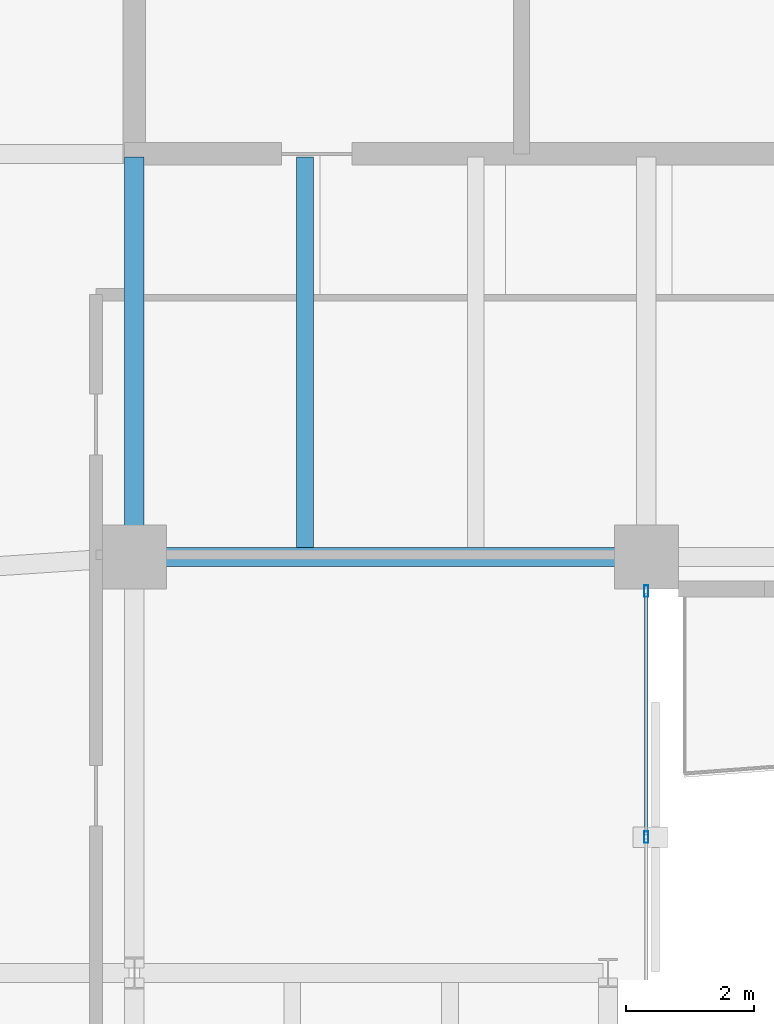
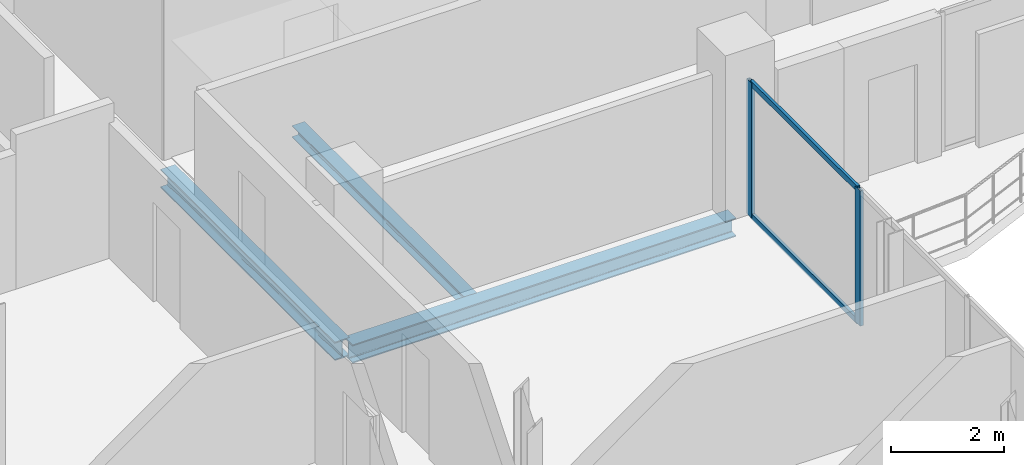
# One storey, part 10 of 23: 4 members, 3 beams, 1 element without a shape of its own.
"""IFC4 building model written with IfcOpenShell, lengths in metres."""

from ifc_helpers import new_model, si_unit, direction, frame, origin, origin_2d, place, context, subcontext, project, spatial, hollow_rectangle, i_section, extrude, material, layer, layer_set, material_profile, profile_set, type_object, element, aggregate, save


model = new_model("IFC4")

# Units and contexts
model_context = context("Model", 3, precision=1e-05, world=origin(), true_north=direction((0.0, 1.0)))
body_context = subcontext(model_context, "Body", "Model", "MODEL_VIEW")
ifc_project = project(units=[si_unit("LENGTHUNIT", "METRE"), si_unit("AREAUNIT", "SQUARE_METRE"), si_unit("VOLUMEUNIT", "CUBIC_METRE"), si_unit("PLANEANGLEUNIT", "RADIAN"), si_unit("MASSUNIT", "GRAM", prefix="KILO")], contexts=[model_context])

# Site, building, storey
site_placement = place(None, origin())
site = spatial("IfcSite", under=ifc_project, at=site_placement, CompositionType="ELEMENT")
building_placement = place(site_placement, origin())
building = spatial("IfcBuilding", under=site, at=building_placement, Name="Catumbela Crestline Tower", CompositionType="ELEMENT")
storey_placement = place(building_placement, frame((0.0, 0.0, 197.4)))
storey = spatial("IfcBuildingStorey", under=building, at=storey_placement, Name="L51", CompositionType="ELEMENT", Elevation=197.4)

# Beams
ifc_material_1 = material(Name="Structural steel S355J2", Category="steel")
ifc_material_profile_1 = material_profile(ifc_material_1, i_section(OverallWidth=0.3, OverallDepth=0.4, WebThickness=0.0135, FlangeThickness=0.024, FilletRadius=0.027, at=origin_2d()), Name="HEB 400")
ifc_profile_set_1 = profile_set([ifc_material_profile_1], Name="Structural steel S355J2")
beam_type_1 = type_object("IfcBeamType", Name="BG-HEB400", PredefinedType="BEAM", material=ifc_profile_set_1)
beam_1_placement = place(storey_placement, frame((16.08, 24.5, -0.46), z_axis=(1.0, 0.0, 0.0), x_axis=(0.0, 1.0, 0.0)))
element("IfcBeam", 1, at=beam_1_placement, inside=storey, type_object=beam_type_1, Name="L51 Beam BM-L51-S03", PredefinedType="BEAM", context=body_context, shape_type="SweptSolid", body=[
    extrude(i_section(OverallWidth=0.3, OverallDepth=0.4, WebThickness=0.0135, FlangeThickness=0.024, FilletRadius=0.027, at=origin_2d()), origin(), (0.0, 0.0, 1.0), 7.84),
])
beam_2_placement = place(storey_placement, frame((16.0, 24.58, -0.46), z_axis=(0.0, 1.0, 0.0), x_axis=(-1.0, 0.0, 0.0)))
element("IfcBeam", 2, at=beam_2_placement, inside=storey, type_object=beam_type_1, Name="L51 Beam BM-L51-SNS17", PredefinedType="BEAM", context=body_context, shape_type="SweptSolid", body=[
    extrude(i_section(OverallWidth=0.3, OverallDepth=0.4, WebThickness=0.0135, FlangeThickness=0.024, FilletRadius=0.027, at=origin_2d()), origin(), (0.0, 0.0, 1.0), 6.17),
])
ifc_material_profile_2 = material_profile(ifc_material_1, i_section(OverallWidth=0.26, OverallDepth=0.25, WebThickness=0.0075, FlangeThickness=0.0125, FilletRadius=0.024, at=origin_2d()), Name="HEA 260")
ifc_profile_set_2 = profile_set([ifc_material_profile_2], Name="Structural steel S355J2")
beam_type_2 = type_object("IfcBeamType", Name="BJ-HEA260", PredefinedType="JOIST", material=ifc_profile_set_2)
beam_3_placement = place(storey_placement, frame((18.667, 24.647, -0.385), z_axis=(0.0, 1.0, 0.0), x_axis=(-1.0, 0.0, 0.0)))
element("IfcBeam", 3, at=beam_3_placement, inside=storey, type_object=beam_type_2, Name="L51 Joist JS-L51-SP26", PredefinedType="JOIST", context=body_context, shape_type="SweptSolid", body=[
    extrude(i_section(OverallWidth=0.26, OverallDepth=0.25, WebThickness=0.0075, FlangeThickness=0.0125, FilletRadius=0.024, at=origin_2d()), origin(), (0.0, 0.0, 1.0), 6.103),
])

# Curtain wall, members
ifc_material_2 = material(Name="Aluminium alloy AW-6060-T66", Category="aluminium")
ifc_layer = layer(ifc_material_2, 0.18, Name="Aluminium alloy AW-6060-T66")
ifc_layer_set = layer_set([ifc_layer], Name="Aluminium alloy AW-6060-T66")
curtain_wall_type = type_object("IfcCurtainWallType", Name="CWU-Z3", PredefinedType="USERDEFINED", material=ifc_layer_set)
curtain_wall_placement = place(storey_placement, origin())
curtain_wall = element("IfcCurtainWall", 4, at=curtain_wall_placement, inside=storey, type_object=curtain_wall_type, Name="L51 Unitised Curtain Wall CW-L51-E2S1", ObjectType="UNITISED", PredefinedType="USERDEFINED")
ifc_material_profile_3 = material_profile(ifc_material_2, hollow_rectangle(XDim=0.065, YDim=0.18, WallThickness=0.004, at=origin_2d()), Name="ALU 180x65x4")
ifc_profile_set_3 = profile_set([ifc_material_profile_3], Name="Aluminium alloy AW-6060-T66")
member_type_1 = type_object("IfcMemberType", Name="MUL-180X65", PredefinedType="MULLION", material=ifc_profile_set_3)
member_1_placement = place(storey_placement, frame((24.0, 20.125, 0.0), z_axis=(0.0, 0.0, 1.0), x_axis=(-1.0, 0.0, 0.0)))
member_1 = element("IfcMember", 5, at=member_1_placement, type_object=member_type_1, Name="CWU-Z3 mullion 4", PredefinedType="MULLION", context=body_context, shape_type="SweptSolid", body=[
    extrude(hollow_rectangle(XDim=0.065, YDim=0.18, WallThickness=0.004, at=origin_2d()), origin(), (0.0, 0.0, 1.0), 2.92),
])
member_2_placement = place(storey_placement, frame((24.0, 23.9675, 0.0), z_axis=(0.0, 0.0, 1.0), x_axis=(-1.0, 0.0, 0.0)))
member_2 = element("IfcMember", 6, at=member_2_placement, type_object=member_type_1, Name="CWU-Z3 mullion 5", PredefinedType="MULLION", context=body_context, shape_type="SweptSolid", body=[
    extrude(hollow_rectangle(XDim=0.065, YDim=0.18, WallThickness=0.004, at=origin_2d()), origin(), (0.0, 0.0, 1.0), 2.92),
])
ifc_material_profile_4 = material_profile(ifc_material_2, hollow_rectangle(XDim=0.06, YDim=0.12, WallThickness=0.0035, at=origin_2d()), Name="ALU 120x60x3.5")
ifc_profile_set_4 = profile_set([ifc_material_profile_4], Name="Aluminium alloy AW-6060-T66")
member_type_2 = type_object("IfcMemberType", Name="TRN-120X60", PredefinedType="USERDEFINED", material=ifc_profile_set_4)
member_3_placement = place(storey_placement, frame((24.0, 20.1575, 0.03), z_axis=(0.0, 1.0, 0.0), x_axis=(-1.0, 0.0, 0.0)))
member_3 = element("IfcMember", 7, at=member_3_placement, type_object=member_type_2, Name="CWU-Z3 transom 4.1", ObjectType="TRANSOM", PredefinedType="USERDEFINED", context=body_context, shape_type="SweptSolid", body=[
    extrude(hollow_rectangle(XDim=0.06, YDim=0.12, WallThickness=0.0035, at=origin_2d()), origin(), (0.0, 0.0, 1.0), 3.7775),
])
member_4_placement = place(storey_placement, frame((24.0, 20.1575, 2.89), z_axis=(0.0, 1.0, 0.0), x_axis=(-1.0, 0.0, 0.0)))
member_4 = element("IfcMember", 8, at=member_4_placement, type_object=member_type_2, Name="CWU-Z3 transom 4.2", ObjectType="TRANSOM", PredefinedType="USERDEFINED", context=body_context, shape_type="SweptSolid", body=[
    extrude(hollow_rectangle(XDim=0.06, YDim=0.12, WallThickness=0.0035, at=origin_2d()), origin(), (0.0, 0.0, 1.0), 3.7775),
])
aggregate(curtain_wall, [member_1, member_2, member_3, member_4])

save(model, "model.ifc")
